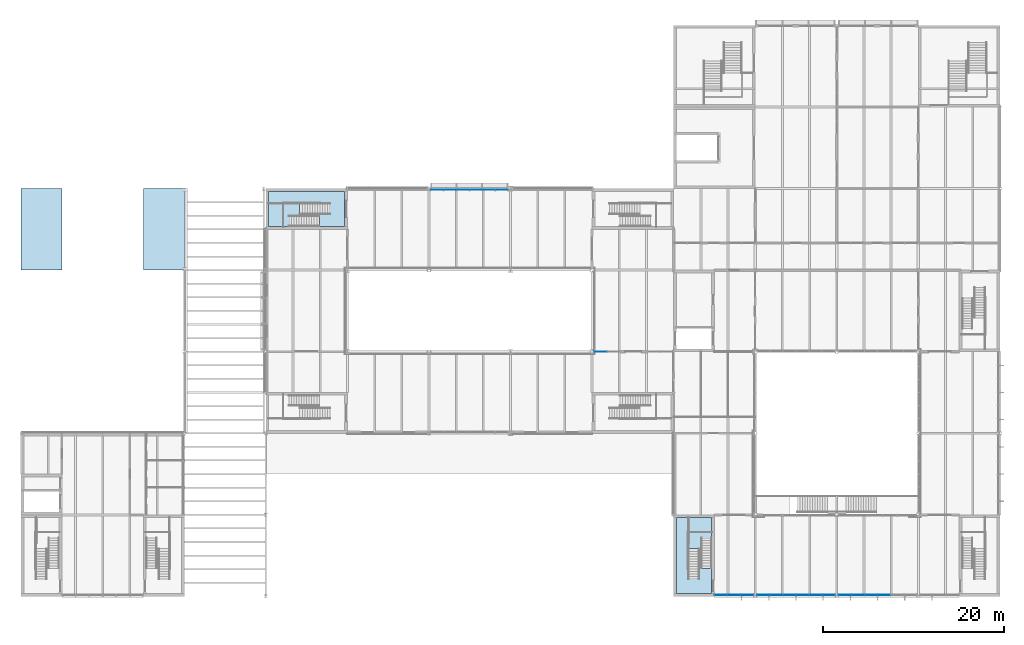
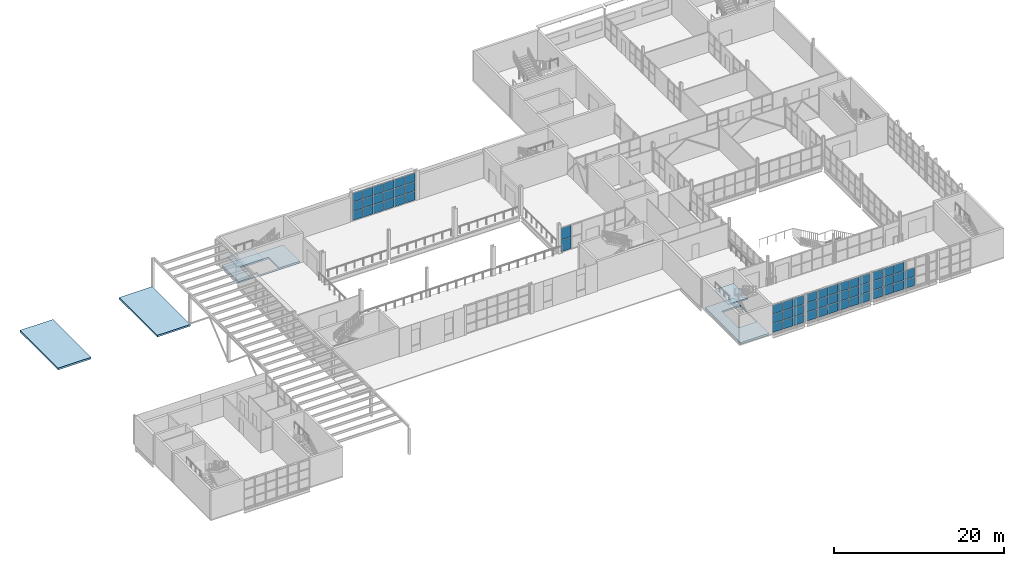
# One storey, part 27 of 57: 58 plates, 6 slabs, 7 elements without a shape of their own.
"""IFC4 building model written with IfcOpenShell, lengths in metres."""

from ifc_helpers import new_model, si_unit, direction, frame, origin, origin_2d, place, context, subcontext, project, spatial, polyline, rectangle, outline, extrude, material, layer, layer_set, type_object, element, aggregate, save


model = new_model("IFC4")

# Units and contexts
model_context = context("Model", 3, precision=1e-05, world=origin(), true_north=direction((0.0, 1.0)))
body_context = subcontext(model_context, "Body", "Model", "MODEL_VIEW")
ifc_project = project(units=[si_unit("LENGTHUNIT", "METRE"), si_unit("AREAUNIT", "SQUARE_METRE"), si_unit("VOLUMEUNIT", "CUBIC_METRE"), si_unit("PLANEANGLEUNIT", "RADIAN"), si_unit("MASSUNIT", "GRAM", prefix="KILO")], contexts=[model_context])

# Site, building, storey
site_placement = place(None, origin())
site = spatial("IfcSite", under=ifc_project, at=site_placement, CompositionType="ELEMENT")
building_placement = place(site_placement, origin())
building = spatial("IfcBuilding", under=site, at=building_placement, Name="Halyard Row Museum", CompositionType="ELEMENT")
storey_placement = place(building_placement, frame((0.0, 0.0, 5.0)))
storey = spatial("IfcBuildingStorey", under=building, at=storey_placement, Name="L01", CompositionType="ELEMENT", Elevation=5.0)

# Slabs
ifc_material_1 = material(Name="Concrete 40 MPa", Category="concrete")
ifc_layer_1 = layer(ifc_material_1, 0.25)
ifc_layer_set_1 = layer_set([ifc_layer_1], Name="Concrete 40 MPa")
slab_type_1 = type_object("IfcSlabType", Name="Core floor slab 250", PredefinedType="FLOOR", material=ifc_layer_set_1)
slab_1_placement = place(storey_placement, frame((0.0, 0.0, -0.25)))
element("IfcSlab", 1, at=slab_1_placement, inside=storey, type_object=slab_type_1, Name="Core floor K1A L01", PredefinedType="FLOOR", context=body_context, shape_type="SweptSolid", body=[
    extrude(outline(polyline([(35.699951171875, 44.699951171875), (27.300048828125, 44.699951171875), (27.300048828125, 40.800048828125), (35.699951171875, 40.800048828125), (35.699951171875, 44.699951171875)]), holes=[polyline([(28.98291015625, 40.802978515625), (28.98291015625, 43.346923828125), (32.89697265625, 43.346923828125), (32.89697265625, 40.802978515625), (28.98291015625, 40.802978515625)])]), origin(), (0.0, 0.0, 1.0), 0.25),
])
slab_2_placement = place(storey_placement, frame((0.0, 0.0, -0.25)))
element("IfcSlab", 2, at=slab_2_placement, inside=storey, type_object=slab_type_1, Name="Core floor K2A L01", PredefinedType="FLOOR", context=body_context, shape_type="SweptSolid", body=[
    extrude(outline(polyline([(76.199951171875, 8.699951171875), (72.300048828125, 8.699951171875), (72.300048828125, 0.300048828125), (76.199951171875, 0.300048828125), (76.199951171875, 8.699951171875)]), holes=[polyline([(76.197021484375, 7.01708984375), (76.197021484375, 3.10302734375), (73.653076171875, 3.10302734375), (73.653076171875, 7.01708984375), (76.197021484375, 7.01708984375)])]), origin(), (0.0, 0.0, 1.0), 0.25),
])
ifc_material_2 = material(Name="Concrete 40 MPa", Category="concrete")
ifc_layer_2 = layer(ifc_material_2, 0.25)
ifc_layer_set_2 = layer_set([ifc_layer_2], Name="Concrete 40 MPa")
slab_type_2 = type_object("IfcSlabType", Name="Core roof slab 250", PredefinedType="ROOF", material=ifc_layer_set_2)
slab_3_placement = place(storey_placement, frame((0.0, 0.0, -0.25)))
element("IfcSlab", 3, at=slab_3_placement, inside=storey, type_object=slab_type_2, Name="Core roof K3N", PredefinedType="ROOF", context=body_context, shape_type="SweptSolid", body=[
    extrude(outline(polyline([(13.5, 36.0), (18.0, 36.0), (18.0, 45.0), (13.5, 45.0), (13.5, 36.0)])), origin(), (0.0, 0.0, 1.0), 0.25),
])
slab_4_placement = place(storey_placement, frame((0.0, 0.0, -0.25)))
element("IfcSlab", 4, at=slab_4_placement, inside=storey, type_object=slab_type_2, Name="Core roof K3W", PredefinedType="ROOF", context=body_context, shape_type="SweptSolid", body=[
    extrude(outline(polyline([(0.0, 36.0), (4.5, 36.0), (4.5, 45.0), (0.0, 45.0), (0.0, 36.0)])), origin(), (0.0, 0.0, 1.0), 0.25),
])

# Curtain wall, plates
ifc_material_3 = material(Name="Double glazed unit, low-emissivity", Category="glass")
ifc_layer_3 = layer(ifc_material_3, 0.179931640625)
ifc_layer_set_3 = layer_set([ifc_layer_3], Name="Double glazed unit, low-emissivity")
curtain_wall_type_1 = type_object("IfcCurtainWallType", Name="Curtain wall stick 180 deep", PredefinedType="NOTDEFINED", material=ifc_layer_set_3)
curtain_wall_1_placement = place(storey_placement, origin())
curtain_wall_1 = element("IfcCurtainWall", 5, at=curtain_wall_1_placement, inside=storey, type_object=curtain_wall_type_1, Name="Curtain wall CW022", PredefinedType="NOTDEFINED")
ifc_material_4 = material(Name="Double glazed unit, low-emissivity", Category="glass")
ifc_layer_4 = layer(ifc_material_4, 0.028076171875)
ifc_layer_set_4 = layer_set([ifc_layer_4], Name="Double glazed unit, low-emissivity")
plate_type_1 = type_object("IfcPlateType", Name="Curtain wall glazed panel CP2 28", PredefinedType="CURTAIN_PANEL", material=ifc_layer_set_4)
plate_1_placement = place(storey_placement, frame((53.018310546875, 44.860107421875, 0.06005859375), z_axis=(0.0, 0.0, 1.0), x_axis=(-1.0, 0.0, 0.0)))
plate_1 = element("IfcPlate", 6, at=plate_1_placement, type_object=plate_type_1, Name="CW022 panel 1.1", PredefinedType="CURTAIN_PANEL", context=body_context, shape_type="SweptSolid", body=[
    extrude(rectangle(XDim=1.34326171875, YDim=0.028076171875, at=origin_2d()), origin(), (0.0, 0.0, 1.0), 1.2548828125),
])
plate_2_placement = place(storey_placement, frame((53.018310546875, 44.860107421875, 1.375), z_axis=(0.0, 0.0, 1.0), x_axis=(-1.0, 0.0, 0.0)))
plate_2 = element("IfcPlate", 7, at=plate_2_placement, type_object=plate_type_1, Name="CW022 panel 1.2", PredefinedType="CURTAIN_PANEL", context=body_context, shape_type="SweptSolid", body=[
    extrude(rectangle(XDim=1.34326171875, YDim=0.028076171875, at=origin_2d()), origin(), (0.0, 0.0, 1.0), 1.284912109375),
])
plate_3_placement = place(storey_placement, frame((53.018310546875, 44.860107421875, 2.719970703125), z_axis=(0.0, 0.0, 1.0), x_axis=(-1.0, 0.0, 0.0)))
plate_3 = element("IfcPlate", 8, at=plate_3_placement, type_object=plate_type_1, Name="CW022 panel 1.3", PredefinedType="CURTAIN_PANEL", context=body_context, shape_type="SweptSolid", body=[
    extrude(rectangle(XDim=1.34326171875, YDim=0.028076171875, at=origin_2d()), origin(), (0.0, 0.0, 1.0), 1.2548828125),
])
plate_4_placement = place(storey_placement, frame((51.60009765625, 44.860107421875, 0.06005859375), z_axis=(0.0, 0.0, 1.0), x_axis=(-1.0, 0.0, 0.0)))
plate_4 = element("IfcPlate", 9, at=plate_4_placement, type_object=plate_type_1, Name="CW022 panel 2.1", PredefinedType="CURTAIN_PANEL", context=body_context, shape_type="SweptSolid", body=[
    extrude(rectangle(XDim=1.373291015625, YDim=0.028076171875, at=origin_2d()), origin(), (0.0, 0.0, 1.0), 1.2548828125),
])
plate_5_placement = place(storey_placement, frame((51.60009765625, 44.860107421875, 1.375), z_axis=(0.0, 0.0, 1.0), x_axis=(-1.0, 0.0, 0.0)))
plate_5 = element("IfcPlate", 10, at=plate_5_placement, type_object=plate_type_1, Name="CW022 panel 2.2", PredefinedType="CURTAIN_PANEL", context=body_context, shape_type="SweptSolid", body=[
    extrude(rectangle(XDim=1.373291015625, YDim=0.028076171875, at=origin_2d()), origin(), (0.0, 0.0, 1.0), 1.284912109375),
])
plate_6_placement = place(storey_placement, frame((51.60009765625, 44.860107421875, 2.719970703125), z_axis=(0.0, 0.0, 1.0), x_axis=(-1.0, 0.0, 0.0)))
plate_6 = element("IfcPlate", 11, at=plate_6_placement, type_object=plate_type_1, Name="CW022 panel 2.3", PredefinedType="CURTAIN_PANEL", context=body_context, shape_type="SweptSolid", body=[
    extrude(rectangle(XDim=1.373291015625, YDim=0.028076171875, at=origin_2d()), origin(), (0.0, 0.0, 1.0), 1.2548828125),
])
plate_7_placement = place(storey_placement, frame((50.166748046875, 44.860107421875, 0.06005859375), z_axis=(0.0, 0.0, 1.0), x_axis=(-1.0, 0.0, 0.0)))
plate_7 = element("IfcPlate", 12, at=plate_7_placement, type_object=plate_type_1, Name="CW022 panel 3.1", PredefinedType="CURTAIN_PANEL", context=body_context, shape_type="SweptSolid", body=[
    extrude(rectangle(XDim=1.373291015625, YDim=0.028076171875, at=origin_2d()), origin(), (0.0, 0.0, 1.0), 1.2548828125),
])
plate_8_placement = place(storey_placement, frame((50.166748046875, 44.860107421875, 1.375), z_axis=(0.0, 0.0, 1.0), x_axis=(-1.0, 0.0, 0.0)))
plate_8 = element("IfcPlate", 13, at=plate_8_placement, type_object=plate_type_1, Name="CW022 panel 3.2", PredefinedType="CURTAIN_PANEL", context=body_context, shape_type="SweptSolid", body=[
    extrude(rectangle(XDim=1.373291015625, YDim=0.028076171875, at=origin_2d()), origin(), (0.0, 0.0, 1.0), 1.284912109375),
])
plate_9_placement = place(storey_placement, frame((50.166748046875, 44.860107421875, 2.719970703125), z_axis=(0.0, 0.0, 1.0), x_axis=(-1.0, 0.0, 0.0)))
plate_9 = element("IfcPlate", 14, at=plate_9_placement, type_object=plate_type_1, Name="CW022 panel 3.3", PredefinedType="CURTAIN_PANEL", context=body_context, shape_type="SweptSolid", body=[
    extrude(rectangle(XDim=1.373291015625, YDim=0.028076171875, at=origin_2d()), origin(), (0.0, 0.0, 1.0), 1.2548828125),
])
plate_10_placement = place(storey_placement, frame((48.7333984375, 44.860107421875, 0.06005859375), z_axis=(0.0, 0.0, 1.0), x_axis=(-1.0, 0.0, 0.0)))
plate_10 = element("IfcPlate", 15, at=plate_10_placement, type_object=plate_type_1, Name="CW022 panel 4.1", PredefinedType="CURTAIN_PANEL", context=body_context, shape_type="SweptSolid", body=[
    extrude(rectangle(XDim=1.373291015625, YDim=0.028076171875, at=origin_2d()), origin(), (0.0, 0.0, 1.0), 1.2548828125),
])
plate_11_placement = place(storey_placement, frame((48.7333984375, 44.860107421875, 1.375), z_axis=(0.0, 0.0, 1.0), x_axis=(-1.0, 0.0, 0.0)))
plate_11 = element("IfcPlate", 16, at=plate_11_placement, type_object=plate_type_1, Name="CW022 panel 4.2", PredefinedType="CURTAIN_PANEL", context=body_context, shape_type="SweptSolid", body=[
    extrude(rectangle(XDim=1.373291015625, YDim=0.028076171875, at=origin_2d()), origin(), (0.0, 0.0, 1.0), 1.284912109375),
])
plate_12_placement = place(storey_placement, frame((48.7333984375, 44.860107421875, 2.719970703125), z_axis=(0.0, 0.0, 1.0), x_axis=(-1.0, 0.0, 0.0)))
plate_12 = element("IfcPlate", 17, at=plate_12_placement, type_object=plate_type_1, Name="CW022 panel 4.3", PredefinedType="CURTAIN_PANEL", context=body_context, shape_type="SweptSolid", body=[
    extrude(rectangle(XDim=1.373291015625, YDim=0.028076171875, at=origin_2d()), origin(), (0.0, 0.0, 1.0), 1.2548828125),
])
plate_13_placement = place(storey_placement, frame((47.300048828125, 44.860107421875, 0.06005859375), z_axis=(0.0, 0.0, 1.0), x_axis=(-1.0, 0.0, 0.0)))
plate_13 = element("IfcPlate", 18, at=plate_13_placement, type_object=plate_type_1, Name="CW022 panel 5.1", PredefinedType="CURTAIN_PANEL", context=body_context, shape_type="SweptSolid", body=[
    extrude(rectangle(XDim=1.373291015625, YDim=0.028076171875, at=origin_2d()), origin(), (0.0, 0.0, 1.0), 1.2548828125),
])
plate_14_placement = place(storey_placement, frame((47.300048828125, 44.860107421875, 1.375), z_axis=(0.0, 0.0, 1.0), x_axis=(-1.0, 0.0, 0.0)))
plate_14 = element("IfcPlate", 19, at=plate_14_placement, type_object=plate_type_1, Name="CW022 panel 5.2", PredefinedType="CURTAIN_PANEL", context=body_context, shape_type="SweptSolid", body=[
    extrude(rectangle(XDim=1.373291015625, YDim=0.028076171875, at=origin_2d()), origin(), (0.0, 0.0, 1.0), 1.284912109375),
])
plate_15_placement = place(storey_placement, frame((47.300048828125, 44.860107421875, 2.719970703125), z_axis=(0.0, 0.0, 1.0), x_axis=(-1.0, 0.0, 0.0)))
plate_15 = element("IfcPlate", 20, at=plate_15_placement, type_object=plate_type_1, Name="CW022 panel 5.3", PredefinedType="CURTAIN_PANEL", context=body_context, shape_type="SweptSolid", body=[
    extrude(rectangle(XDim=1.373291015625, YDim=0.028076171875, at=origin_2d()), origin(), (0.0, 0.0, 1.0), 1.2548828125),
])
plate_16_placement = place(storey_placement, frame((45.881591796875, 44.860107421875, 0.06005859375), z_axis=(0.0, 0.0, 1.0), x_axis=(-1.0, 0.0, 0.0)))
plate_16 = element("IfcPlate", 21, at=plate_16_placement, type_object=plate_type_1, Name="CW022 panel 6.1", PredefinedType="CURTAIN_PANEL", context=body_context, shape_type="SweptSolid", body=[
    extrude(rectangle(XDim=1.34326171875, YDim=0.028076171875, at=origin_2d()), origin(), (0.0, 0.0, 1.0), 1.2548828125),
])
plate_17_placement = place(storey_placement, frame((45.881591796875, 44.860107421875, 1.375), z_axis=(0.0, 0.0, 1.0), x_axis=(-1.0, 0.0, 0.0)))
plate_17 = element("IfcPlate", 22, at=plate_17_placement, type_object=plate_type_1, Name="CW022 panel 6.2", PredefinedType="CURTAIN_PANEL", context=body_context, shape_type="SweptSolid", body=[
    extrude(rectangle(XDim=1.34326171875, YDim=0.028076171875, at=origin_2d()), origin(), (0.0, 0.0, 1.0), 1.284912109375),
])
plate_18_placement = place(storey_placement, frame((45.881591796875, 44.860107421875, 2.719970703125), z_axis=(0.0, 0.0, 1.0), x_axis=(-1.0, 0.0, 0.0)))
plate_18 = element("IfcPlate", 23, at=plate_18_placement, type_object=plate_type_1, Name="CW022 panel 6.3", PredefinedType="CURTAIN_PANEL", context=body_context, shape_type="SweptSolid", body=[
    extrude(rectangle(XDim=1.34326171875, YDim=0.028076171875, at=origin_2d()), origin(), (0.0, 0.0, 1.0), 1.2548828125),
])
aggregate(curtain_wall_1, [plate_1, plate_2, plate_3, plate_4, plate_5, plate_6, plate_7, plate_8, plate_9, plate_10, plate_11, plate_12, plate_13, plate_14, plate_15, plate_16, plate_17, plate_18])

ifc_material_5 = material(Name="Double glazed unit, low-emissivity", Category="glass")
ifc_layer_5 = layer(ifc_material_5, 0.219970703125)
ifc_layer_set_5 = layer_set([ifc_layer_5], Name="Double glazed unit, low-emissivity")
curtain_wall_type_2 = type_object("IfcCurtainWallType", Name="Curtain wall unitised 220 deep", PredefinedType="NOTDEFINED", material=ifc_layer_set_5)
curtain_wall_2_placement = place(storey_placement, origin())
curtain_wall_2 = element("IfcCurtainWall", 24, at=curtain_wall_2_placement, inside=storey, type_object=curtain_wall_type_2, Name="Curtain wall CW024", PredefinedType="NOTDEFINED")
ifc_material_6 = material(Name="Double glazed unit, low-emissivity", Category="glass")
ifc_layer_6 = layer(ifc_material_6, 0.035888671875)
ifc_layer_set_6 = layer_set([ifc_layer_6], Name="Double glazed unit, low-emissivity")
plate_type_2 = type_object("IfcPlateType", Name="Curtain wall glazed panel CP3 36", PredefinedType="CURTAIN_PANEL", material=ifc_layer_set_6)
plate_19_placement = place(storey_placement, frame((77.239990234375, 0.159912109375, 0.06005859375), z_axis=(0.0, 0.0, 1.0), x_axis=(1.0, 0.0, 0.0)))
plate_19 = element("IfcPlate", 25, at=plate_19_placement, type_object=plate_type_2, Name="CW024 panel 1.1", PredefinedType="CURTAIN_PANEL", context=body_context, shape_type="SweptSolid", body=[
    extrude(rectangle(XDim=1.360107421875, YDim=0.035888671875, at=origin_2d()), origin(), (0.0, 0.0, 1.0), 1.2548828125),
])
plate_20_placement = place(storey_placement, frame((77.239990234375, 0.159912109375, 1.375), z_axis=(0.0, 0.0, 1.0), x_axis=(1.0, 0.0, 0.0)))
plate_20 = element("IfcPlate", 26, at=plate_20_placement, type_object=plate_type_2, Name="CW024 panel 1.2", PredefinedType="CURTAIN_PANEL", context=body_context, shape_type="SweptSolid", body=[
    extrude(rectangle(XDim=1.360107421875, YDim=0.035888671875, at=origin_2d()), origin(), (0.0, 0.0, 1.0), 1.284912109375),
])
plate_21_placement = place(storey_placement, frame((77.239990234375, 0.159912109375, 2.719970703125), z_axis=(0.0, 0.0, 1.0), x_axis=(1.0, 0.0, 0.0)))
plate_21 = element("IfcPlate", 27, at=plate_21_placement, type_object=plate_type_2, Name="CW024 panel 1.3", PredefinedType="CURTAIN_PANEL", context=body_context, shape_type="SweptSolid", body=[
    extrude(rectangle(XDim=1.360107421875, YDim=0.035888671875, at=origin_2d()), origin(), (0.0, 0.0, 1.0), 1.2548828125),
])
plate_22_placement = place(storey_placement, frame((78.675048828125, 0.159912109375, 0.06005859375), z_axis=(0.0, 0.0, 1.0), x_axis=(1.0, 0.0, 0.0)))
plate_22 = element("IfcPlate", 28, at=plate_22_placement, type_object=plate_type_2, Name="CW024 panel 2.1", PredefinedType="CURTAIN_PANEL", context=body_context, shape_type="SweptSolid", body=[
    extrude(rectangle(XDim=1.389892578125, YDim=0.035888671875, at=origin_2d()), origin(), (0.0, 0.0, 1.0), 1.2548828125),
])
plate_23_placement = place(storey_placement, frame((78.675048828125, 0.159912109375, 1.375), z_axis=(0.0, 0.0, 1.0), x_axis=(1.0, 0.0, 0.0)))
plate_23 = element("IfcPlate", 29, at=plate_23_placement, type_object=plate_type_2, Name="CW024 panel 2.2", PredefinedType="CURTAIN_PANEL", context=body_context, shape_type="SweptSolid", body=[
    extrude(rectangle(XDim=1.389892578125, YDim=0.035888671875, at=origin_2d()), origin(), (0.0, 0.0, 1.0), 1.284912109375),
])
plate_24_placement = place(storey_placement, frame((78.675048828125, 0.159912109375, 2.719970703125), z_axis=(0.0, 0.0, 1.0), x_axis=(1.0, 0.0, 0.0)))
plate_24 = element("IfcPlate", 30, at=plate_24_placement, type_object=plate_type_2, Name="CW024 panel 2.3", PredefinedType="CURTAIN_PANEL", context=body_context, shape_type="SweptSolid", body=[
    extrude(rectangle(XDim=1.389892578125, YDim=0.035888671875, at=origin_2d()), origin(), (0.0, 0.0, 1.0), 1.2548828125),
])
plate_25_placement = place(storey_placement, frame((80.110107421875, 0.159912109375, 0.06005859375), z_axis=(0.0, 0.0, 1.0), x_axis=(1.0, 0.0, 0.0)))
plate_25 = element("IfcPlate", 31, at=plate_25_placement, type_object=plate_type_2, Name="CW024 panel 3.1", PredefinedType="CURTAIN_PANEL", context=body_context, shape_type="SweptSolid", body=[
    extrude(rectangle(XDim=1.360107421875, YDim=0.035888671875, at=origin_2d()), origin(), (0.0, 0.0, 1.0), 1.2548828125),
])
plate_26_placement = place(storey_placement, frame((80.110107421875, 0.159912109375, 1.375), z_axis=(0.0, 0.0, 1.0), x_axis=(1.0, 0.0, 0.0)))
plate_26 = element("IfcPlate", 32, at=plate_26_placement, type_object=plate_type_2, Name="CW024 panel 3.2", PredefinedType="CURTAIN_PANEL", context=body_context, shape_type="SweptSolid", body=[
    extrude(rectangle(XDim=1.360107421875, YDim=0.035888671875, at=origin_2d()), origin(), (0.0, 0.0, 1.0), 1.284912109375),
])
plate_27_placement = place(storey_placement, frame((80.110107421875, 0.159912109375, 2.719970703125), z_axis=(0.0, 0.0, 1.0), x_axis=(1.0, 0.0, 0.0)))
plate_27 = element("IfcPlate", 33, at=plate_27_placement, type_object=plate_type_2, Name="CW024 panel 3.3", PredefinedType="CURTAIN_PANEL", context=body_context, shape_type="SweptSolid", body=[
    extrude(rectangle(XDim=1.360107421875, YDim=0.035888671875, at=origin_2d()), origin(), (0.0, 0.0, 1.0), 1.2548828125),
])
aggregate(curtain_wall_2, [plate_19, plate_20, plate_21, plate_22, plate_23, plate_24, plate_25, plate_26, plate_27])

curtain_wall_3_placement = place(storey_placement, origin())
curtain_wall_3 = element("IfcCurtainWall", 34, at=curtain_wall_3_placement, inside=storey, type_object=curtain_wall_type_2, Name="Curtain wall CW025", PredefinedType="NOTDEFINED")
plate_28_placement = place(storey_placement, frame((81.889892578125, 0.159912109375, 0.06005859375), z_axis=(0.0, 0.0, 1.0), x_axis=(1.0, 0.0, 0.0)))
plate_28 = element("IfcPlate", 35, at=plate_28_placement, type_object=plate_type_2, Name="CW025 panel 1.1", PredefinedType="CURTAIN_PANEL", context=body_context, shape_type="SweptSolid", body=[
    extrude(rectangle(XDim=1.360107421875, YDim=0.035888671875, at=origin_2d()), origin(), (0.0, 0.0, 1.0), 1.2548828125),
])
plate_29_placement = place(storey_placement, frame((81.889892578125, 0.159912109375, 1.375), z_axis=(0.0, 0.0, 1.0), x_axis=(1.0, 0.0, 0.0)))
plate_29 = element("IfcPlate", 36, at=plate_29_placement, type_object=plate_type_2, Name="CW025 panel 1.2", PredefinedType="CURTAIN_PANEL", context=body_context, shape_type="SweptSolid", body=[
    extrude(rectangle(XDim=1.360107421875, YDim=0.035888671875, at=origin_2d()), origin(), (0.0, 0.0, 1.0), 1.284912109375),
])
plate_30_placement = place(storey_placement, frame((81.889892578125, 0.159912109375, 2.719970703125), z_axis=(0.0, 0.0, 1.0), x_axis=(1.0, 0.0, 0.0)))
plate_30 = element("IfcPlate", 37, at=plate_30_placement, type_object=plate_type_2, Name="CW025 panel 1.3", PredefinedType="CURTAIN_PANEL", context=body_context, shape_type="SweptSolid", body=[
    extrude(rectangle(XDim=1.360107421875, YDim=0.035888671875, at=origin_2d()), origin(), (0.0, 0.0, 1.0), 1.2548828125),
])
plate_31_placement = place(storey_placement, frame((83.324951171875, 0.159912109375, 0.06005859375), z_axis=(0.0, 0.0, 1.0), x_axis=(1.0, 0.0, 0.0)))
plate_31 = element("IfcPlate", 38, at=plate_31_placement, type_object=plate_type_2, Name="CW025 panel 2.1", PredefinedType="CURTAIN_PANEL", context=body_context, shape_type="SweptSolid", body=[
    extrude(rectangle(XDim=1.389892578125, YDim=0.035888671875, at=origin_2d()), origin(), (0.0, 0.0, 1.0), 1.2548828125),
])
plate_32_placement = place(storey_placement, frame((83.324951171875, 0.159912109375, 1.375), z_axis=(0.0, 0.0, 1.0), x_axis=(1.0, 0.0, 0.0)))
plate_32 = element("IfcPlate", 39, at=plate_32_placement, type_object=plate_type_2, Name="CW025 panel 2.2", PredefinedType="CURTAIN_PANEL", context=body_context, shape_type="SweptSolid", body=[
    extrude(rectangle(XDim=1.389892578125, YDim=0.035888671875, at=origin_2d()), origin(), (0.0, 0.0, 1.0), 1.284912109375),
])
plate_33_placement = place(storey_placement, frame((83.324951171875, 0.159912109375, 2.719970703125), z_axis=(0.0, 0.0, 1.0), x_axis=(1.0, 0.0, 0.0)))
plate_33 = element("IfcPlate", 40, at=plate_33_placement, type_object=plate_type_2, Name="CW025 panel 2.3", PredefinedType="CURTAIN_PANEL", context=body_context, shape_type="SweptSolid", body=[
    extrude(rectangle(XDim=1.389892578125, YDim=0.035888671875, at=origin_2d()), origin(), (0.0, 0.0, 1.0), 1.2548828125),
])
plate_34_placement = place(storey_placement, frame((84.77490234375, 0.159912109375, 0.06005859375), z_axis=(0.0, 0.0, 1.0), x_axis=(1.0, 0.0, 0.0)))
plate_34 = element("IfcPlate", 41, at=plate_34_placement, type_object=plate_type_2, Name="CW025 panel 3.1", PredefinedType="CURTAIN_PANEL", context=body_context, shape_type="SweptSolid", body=[
    extrude(rectangle(XDim=1.389892578125, YDim=0.035888671875, at=origin_2d()), origin(), (0.0, 0.0, 1.0), 1.2548828125),
])
plate_35_placement = place(storey_placement, frame((84.77490234375, 0.159912109375, 1.375), z_axis=(0.0, 0.0, 1.0), x_axis=(1.0, 0.0, 0.0)))
plate_35 = element("IfcPlate", 42, at=plate_35_placement, type_object=plate_type_2, Name="CW025 panel 3.2", PredefinedType="CURTAIN_PANEL", context=body_context, shape_type="SweptSolid", body=[
    extrude(rectangle(XDim=1.389892578125, YDim=0.035888671875, at=origin_2d()), origin(), (0.0, 0.0, 1.0), 1.284912109375),
])
plate_36_placement = place(storey_placement, frame((84.77490234375, 0.159912109375, 2.719970703125), z_axis=(0.0, 0.0, 1.0), x_axis=(1.0, 0.0, 0.0)))
plate_36 = element("IfcPlate", 43, at=plate_36_placement, type_object=plate_type_2, Name="CW025 panel 3.3", PredefinedType="CURTAIN_PANEL", context=body_context, shape_type="SweptSolid", body=[
    extrude(rectangle(XDim=1.389892578125, YDim=0.035888671875, at=origin_2d()), origin(), (0.0, 0.0, 1.0), 1.2548828125),
])
plate_37_placement = place(storey_placement, frame((86.22509765625, 0.159912109375, 0.06005859375), z_axis=(0.0, 0.0, 1.0), x_axis=(1.0, 0.0, 0.0)))
plate_37 = element("IfcPlate", 44, at=plate_37_placement, type_object=plate_type_2, Name="CW025 panel 4.1", PredefinedType="CURTAIN_PANEL", context=body_context, shape_type="SweptSolid", body=[
    extrude(rectangle(XDim=1.389892578125, YDim=0.035888671875, at=origin_2d()), origin(), (0.0, 0.0, 1.0), 1.2548828125),
])
plate_38_placement = place(storey_placement, frame((86.22509765625, 0.159912109375, 1.375), z_axis=(0.0, 0.0, 1.0), x_axis=(1.0, 0.0, 0.0)))
plate_38 = element("IfcPlate", 45, at=plate_38_placement, type_object=plate_type_2, Name="CW025 panel 4.2", PredefinedType="CURTAIN_PANEL", context=body_context, shape_type="SweptSolid", body=[
    extrude(rectangle(XDim=1.389892578125, YDim=0.035888671875, at=origin_2d()), origin(), (0.0, 0.0, 1.0), 1.284912109375),
])
plate_39_placement = place(storey_placement, frame((86.22509765625, 0.159912109375, 2.719970703125), z_axis=(0.0, 0.0, 1.0), x_axis=(1.0, 0.0, 0.0)))
plate_39 = element("IfcPlate", 46, at=plate_39_placement, type_object=plate_type_2, Name="CW025 panel 4.3", PredefinedType="CURTAIN_PANEL", context=body_context, shape_type="SweptSolid", body=[
    extrude(rectangle(XDim=1.389892578125, YDim=0.035888671875, at=origin_2d()), origin(), (0.0, 0.0, 1.0), 1.2548828125),
])
plate_40_placement = place(storey_placement, frame((87.675048828125, 0.159912109375, 0.06005859375), z_axis=(0.0, 0.0, 1.0), x_axis=(1.0, 0.0, 0.0)))
plate_40 = element("IfcPlate", 47, at=plate_40_placement, type_object=plate_type_2, Name="CW025 panel 5.1", PredefinedType="CURTAIN_PANEL", context=body_context, shape_type="SweptSolid", body=[
    extrude(rectangle(XDim=1.389892578125, YDim=0.035888671875, at=origin_2d()), origin(), (0.0, 0.0, 1.0), 1.2548828125),
])
plate_41_placement = place(storey_placement, frame((87.675048828125, 0.159912109375, 1.375), z_axis=(0.0, 0.0, 1.0), x_axis=(1.0, 0.0, 0.0)))
plate_41 = element("IfcPlate", 48, at=plate_41_placement, type_object=plate_type_2, Name="CW025 panel 5.2", PredefinedType="CURTAIN_PANEL", context=body_context, shape_type="SweptSolid", body=[
    extrude(rectangle(XDim=1.389892578125, YDim=0.035888671875, at=origin_2d()), origin(), (0.0, 0.0, 1.0), 1.284912109375),
])
plate_42_placement = place(storey_placement, frame((87.675048828125, 0.159912109375, 2.719970703125), z_axis=(0.0, 0.0, 1.0), x_axis=(1.0, 0.0, 0.0)))
plate_42 = element("IfcPlate", 49, at=plate_42_placement, type_object=plate_type_2, Name="CW025 panel 5.3", PredefinedType="CURTAIN_PANEL", context=body_context, shape_type="SweptSolid", body=[
    extrude(rectangle(XDim=1.389892578125, YDim=0.035888671875, at=origin_2d()), origin(), (0.0, 0.0, 1.0), 1.2548828125),
])
plate_43_placement = place(storey_placement, frame((89.110107421875, 0.159912109375, 0.06005859375), z_axis=(0.0, 0.0, 1.0), x_axis=(1.0, 0.0, 0.0)))
plate_43 = element("IfcPlate", 50, at=plate_43_placement, type_object=plate_type_2, Name="CW025 panel 6.1", PredefinedType="CURTAIN_PANEL", context=body_context, shape_type="SweptSolid", body=[
    extrude(rectangle(XDim=1.360107421875, YDim=0.035888671875, at=origin_2d()), origin(), (0.0, 0.0, 1.0), 1.2548828125),
])
plate_44_placement = place(storey_placement, frame((89.110107421875, 0.159912109375, 1.375), z_axis=(0.0, 0.0, 1.0), x_axis=(1.0, 0.0, 0.0)))
plate_44 = element("IfcPlate", 51, at=plate_44_placement, type_object=plate_type_2, Name="CW025 panel 6.2", PredefinedType="CURTAIN_PANEL", context=body_context, shape_type="SweptSolid", body=[
    extrude(rectangle(XDim=1.360107421875, YDim=0.035888671875, at=origin_2d()), origin(), (0.0, 0.0, 1.0), 1.284912109375),
])
plate_45_placement = place(storey_placement, frame((89.110107421875, 0.159912109375, 2.719970703125), z_axis=(0.0, 0.0, 1.0), x_axis=(1.0, 0.0, 0.0)))
plate_45 = element("IfcPlate", 52, at=plate_45_placement, type_object=plate_type_2, Name="CW025 panel 6.3", PredefinedType="CURTAIN_PANEL", context=body_context, shape_type="SweptSolid", body=[
    extrude(rectangle(XDim=1.360107421875, YDim=0.035888671875, at=origin_2d()), origin(), (0.0, 0.0, 1.0), 1.2548828125),
])
aggregate(curtain_wall_3, [plate_28, plate_29, plate_30, plate_31, plate_32, plate_33, plate_34, plate_35, plate_36, plate_37, plate_38, plate_39, plate_40, plate_41, plate_42, plate_43, plate_44, plate_45])

curtain_wall_4_placement = place(storey_placement, origin())
curtain_wall_4 = element("IfcCurtainWall", 53, at=curtain_wall_4_placement, inside=storey, type_object=curtain_wall_type_2, Name="Curtain wall CW026", PredefinedType="NOTDEFINED")
plate_46_placement = place(storey_placement, frame((90.889892578125, 0.159912109375, 0.06005859375), z_axis=(0.0, 0.0, 1.0), x_axis=(1.0, 0.0, 0.0)))
plate_46 = element("IfcPlate", 54, at=plate_46_placement, type_object=plate_type_2, Name="CW026 panel 1.1", PredefinedType="CURTAIN_PANEL", context=body_context, shape_type="SweptSolid", body=[
    extrude(rectangle(XDim=1.360107421875, YDim=0.035888671875, at=origin_2d()), origin(), (0.0, 0.0, 1.0), 1.2548828125),
])
plate_47_placement = place(storey_placement, frame((90.889892578125, 0.159912109375, 1.375), z_axis=(0.0, 0.0, 1.0), x_axis=(1.0, 0.0, 0.0)))
plate_47 = element("IfcPlate", 55, at=plate_47_placement, type_object=plate_type_2, Name="CW026 panel 1.2", PredefinedType="CURTAIN_PANEL", context=body_context, shape_type="SweptSolid", body=[
    extrude(rectangle(XDim=1.360107421875, YDim=0.035888671875, at=origin_2d()), origin(), (0.0, 0.0, 1.0), 1.284912109375),
])
plate_48_placement = place(storey_placement, frame((90.889892578125, 0.159912109375, 2.719970703125), z_axis=(0.0, 0.0, 1.0), x_axis=(1.0, 0.0, 0.0)))
plate_48 = element("IfcPlate", 56, at=plate_48_placement, type_object=plate_type_2, Name="CW026 panel 1.3", PredefinedType="CURTAIN_PANEL", context=body_context, shape_type="SweptSolid", body=[
    extrude(rectangle(XDim=1.360107421875, YDim=0.035888671875, at=origin_2d()), origin(), (0.0, 0.0, 1.0), 1.2548828125),
])
plate_49_placement = place(storey_placement, frame((92.324951171875, 0.159912109375, 0.06005859375), z_axis=(0.0, 0.0, 1.0), x_axis=(1.0, 0.0, 0.0)))
plate_49 = element("IfcPlate", 57, at=plate_49_placement, type_object=plate_type_2, Name="CW026 panel 2.1", PredefinedType="CURTAIN_PANEL", context=body_context, shape_type="SweptSolid", body=[
    extrude(rectangle(XDim=1.389892578125, YDim=0.035888671875, at=origin_2d()), origin(), (0.0, 0.0, 1.0), 1.2548828125),
])
plate_50_placement = place(storey_placement, frame((92.324951171875, 0.159912109375, 1.375), z_axis=(0.0, 0.0, 1.0), x_axis=(1.0, 0.0, 0.0)))
plate_50 = element("IfcPlate", 58, at=plate_50_placement, type_object=plate_type_2, Name="CW026 panel 2.2", PredefinedType="CURTAIN_PANEL", context=body_context, shape_type="SweptSolid", body=[
    extrude(rectangle(XDim=1.389892578125, YDim=0.035888671875, at=origin_2d()), origin(), (0.0, 0.0, 1.0), 1.284912109375),
])
plate_51_placement = place(storey_placement, frame((92.324951171875, 0.159912109375, 2.719970703125), z_axis=(0.0, 0.0, 1.0), x_axis=(1.0, 0.0, 0.0)))
plate_51 = element("IfcPlate", 59, at=plate_51_placement, type_object=plate_type_2, Name="CW026 panel 2.3", PredefinedType="CURTAIN_PANEL", context=body_context, shape_type="SweptSolid", body=[
    extrude(rectangle(XDim=1.389892578125, YDim=0.035888671875, at=origin_2d()), origin(), (0.0, 0.0, 1.0), 1.2548828125),
])
plate_52_placement = place(storey_placement, frame((93.77490234375, 0.159912109375, 0.06005859375), z_axis=(0.0, 0.0, 1.0), x_axis=(1.0, 0.0, 0.0)))
plate_52 = element("IfcPlate", 60, at=plate_52_placement, type_object=plate_type_2, Name="CW026 panel 3.1", PredefinedType="CURTAIN_PANEL", context=body_context, shape_type="SweptSolid", body=[
    extrude(rectangle(XDim=1.389892578125, YDim=0.035888671875, at=origin_2d()), origin(), (0.0, 0.0, 1.0), 1.2548828125),
])
plate_53_placement = place(storey_placement, frame((93.77490234375, 0.159912109375, 1.375), z_axis=(0.0, 0.0, 1.0), x_axis=(1.0, 0.0, 0.0)))
plate_53 = element("IfcPlate", 61, at=plate_53_placement, type_object=plate_type_2, Name="CW026 panel 3.2", PredefinedType="CURTAIN_PANEL", context=body_context, shape_type="SweptSolid", body=[
    extrude(rectangle(XDim=1.389892578125, YDim=0.035888671875, at=origin_2d()), origin(), (0.0, 0.0, 1.0), 1.284912109375),
])
plate_54_placement = place(storey_placement, frame((93.77490234375, 0.159912109375, 2.719970703125), z_axis=(0.0, 0.0, 1.0), x_axis=(1.0, 0.0, 0.0)))
plate_54 = element("IfcPlate", 62, at=plate_54_placement, type_object=plate_type_2, Name="CW026 panel 3.3", PredefinedType="CURTAIN_PANEL", context=body_context, shape_type="SweptSolid", body=[
    extrude(rectangle(XDim=1.389892578125, YDim=0.035888671875, at=origin_2d()), origin(), (0.0, 0.0, 1.0), 1.2548828125),
])
plate_55_placement = place(storey_placement, frame((95.22509765625, 0.159912109375, 0.06005859375), z_axis=(0.0, 0.0, 1.0), x_axis=(1.0, 0.0, 0.0)))
plate_55 = element("IfcPlate", 63, at=plate_55_placement, type_object=plate_type_2, Name="CW026 panel 4.1", PredefinedType="CURTAIN_PANEL", context=body_context, shape_type="SweptSolid", body=[
    extrude(rectangle(XDim=1.389892578125, YDim=0.035888671875, at=origin_2d()), origin(), (0.0, 0.0, 1.0), 1.2548828125),
])
plate_56_placement = place(storey_placement, frame((95.22509765625, 0.159912109375, 1.375), z_axis=(0.0, 0.0, 1.0), x_axis=(1.0, 0.0, 0.0)))
plate_56 = element("IfcPlate", 64, at=plate_56_placement, type_object=plate_type_2, Name="CW026 panel 4.2", PredefinedType="CURTAIN_PANEL", context=body_context, shape_type="SweptSolid", body=[
    extrude(rectangle(XDim=1.389892578125, YDim=0.035888671875, at=origin_2d()), origin(), (0.0, 0.0, 1.0), 1.284912109375),
])
aggregate(curtain_wall_4, [plate_46, plate_47, plate_48, plate_49, plate_50, plate_51, plate_52, plate_53, plate_54, plate_55, plate_56])

ifc_material_7 = material(Name="Fire-resisting laminated glazing", Category="glass")
ifc_layer_7 = layer(ifc_material_7, 0.159912109375)
ifc_layer_set_7 = layer_set([ifc_layer_7], Name="Fire-resisting laminated glazing")
curtain_wall_type_3 = type_object("IfcCurtainWallType", Name="Curtain wall atrium screen 160 deep", PredefinedType="NOTDEFINED", material=ifc_layer_set_7)
curtain_wall_5_placement = place(storey_placement, origin())
curtain_wall_5 = element("IfcCurtainWall", 65, at=curtain_wall_5_placement, inside=storey, type_object=curtain_wall_type_3, Name="Curtain wall CW142", PredefinedType="NOTDEFINED")
ifc_material_8 = material(Name="Fire-resisting laminated glazing", Category="glass")
ifc_layer_8 = layer(ifc_material_8, 0.0400390625)
ifc_layer_set_8 = layer_set([ifc_layer_8], Name="Fire-resisting laminated glazing")
plate_type_3 = type_object("IfcPlateType", Name="Curtain wall glazed panel CP5 40", PredefinedType="CURTAIN_PANEL", material=ifc_layer_set_8)
plate_57_placement = place(storey_placement, frame((63.93994140625, 27.0, 0.06005859375), z_axis=(0.0, 0.0, 1.0), x_axis=(1.0, 0.0, 0.0)))
plate_57 = element("IfcPlate", 66, at=plate_57_placement, type_object=plate_type_3, Name="CW142 panel 1.1", PredefinedType="CURTAIN_PANEL", context=body_context, shape_type="SweptSolid", body=[
    extrude(rectangle(XDim=1.360107421875, YDim=0.0400390625, at=origin_2d()), origin(), (0.0, 0.0, 1.0), 1.660888671875),
])
plate_58_placement = place(storey_placement, frame((63.93994140625, 27.0, 1.78125), z_axis=(0.0, 0.0, 1.0), x_axis=(1.0, 0.0, 0.0)))
plate_58 = element("IfcPlate", 67, at=plate_58_placement, type_object=plate_type_3, Name="CW142 panel 1.2", PredefinedType="CURTAIN_PANEL", context=body_context, shape_type="SweptSolid", body=[
    extrude(rectangle(XDim=1.360107421875, YDim=0.0400390625, at=origin_2d()), origin(), (0.0, 0.0, 1.0), 1.660888671875),
])
aggregate(curtain_wall_5, [plate_57, plate_58])

# Stair, slab
ifc_material_9 = material(Name="Concrete 40 MPa", Category="concrete")
stair_type = type_object("IfcStairType", Name="Exit stair two flights 1200", PredefinedType="HALF_TURN_STAIR", material=ifc_material_9)
stair_1_placement = place(storey_placement, origin())
stair_1 = element("IfcStair", 68, at=stair_1_placement, inside=storey, type_object=stair_type, Name="Exit stair K1A L01", PredefinedType="HALF_TURN_STAIR")
ifc_material_10 = material(Name="Concrete 40 MPa", Category="concrete")
ifc_layer_9 = layer(ifc_material_10, 0.199951171875)
ifc_layer_set_9 = layer_set([ifc_layer_9], Name="Concrete 40 MPa")
slab_type_3 = type_object("IfcSlabType", Name="Exit stair landing 200", PredefinedType="LANDING", material=ifc_layer_set_9)
slab_5_placement = place(storey_placement, frame((0.0, 0.0, 1.89990234375)))
slab_5 = element("IfcSlab", 69, at=slab_5_placement, type_object=slab_type_3, Name="STK1A-L01 landing 1", PredefinedType="LANDING", context=body_context, shape_type="SweptSolid", body=[
    extrude(outline(polyline([(30.739990234375, 43.35009765625), (30.739990234375, 40.800048828125), (27.300048828125, 40.800048828125), (27.300048828125, 43.35009765625), (30.739990234375, 43.35009765625)])), origin(), (0.0, 0.0, 1.0), 0.2001953125),
])
aggregate(stair_1, [slab_5])

stair_2_placement = place(storey_placement, origin())
stair_2 = element("IfcStair", 70, at=stair_2_placement, inside=storey, type_object=stair_type, Name="Exit stair K2A L01", PredefinedType="HALF_TURN_STAIR")
slab_6_placement = place(storey_placement, frame((0.0, 0.0, 1.89990234375)))
slab_6 = element("IfcSlab", 71, at=slab_6_placement, type_object=slab_type_3, Name="STK2A-L01 landing 1", PredefinedType="LANDING", context=body_context, shape_type="SweptSolid", body=[
    extrude(outline(polyline([(73.64990234375, 5.260009765625), (76.199951171875, 5.260009765625), (76.199951171875, 8.699951171875), (73.64990234375, 8.699951171875), (73.64990234375, 5.260009765625)])), origin(), (0.0, 0.0, 1.0), 0.2001953125),
])
aggregate(stair_2, [slab_6])

save(model, "model.ifc")
